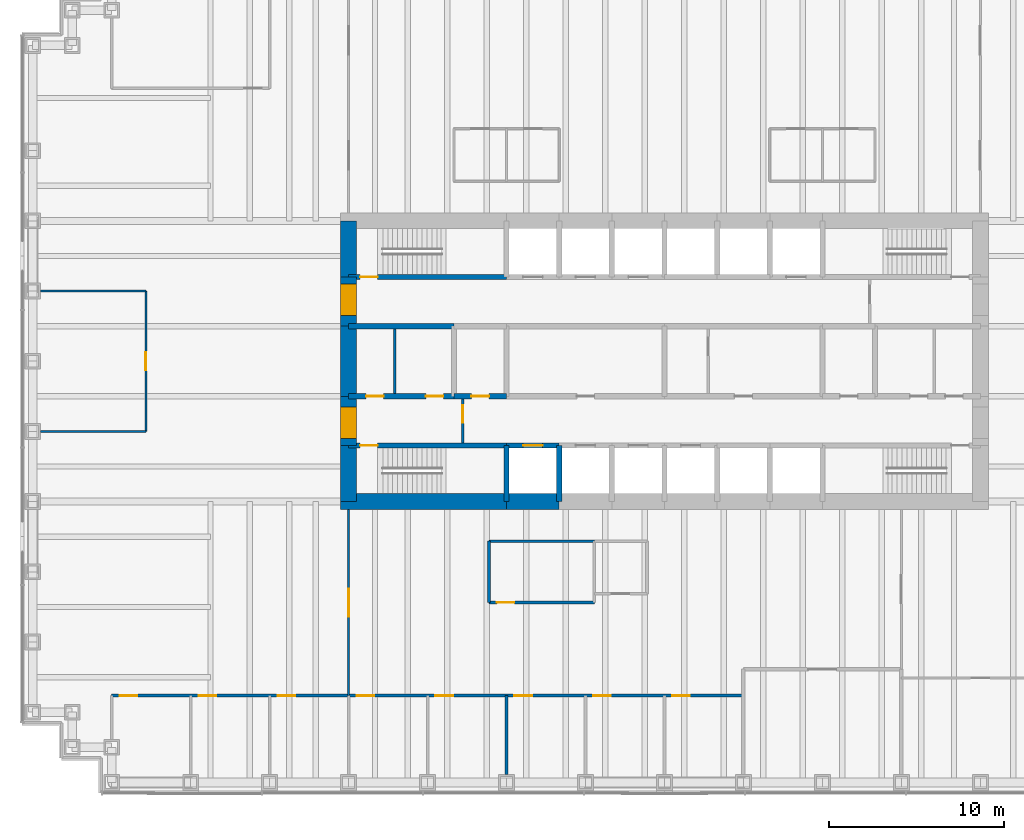
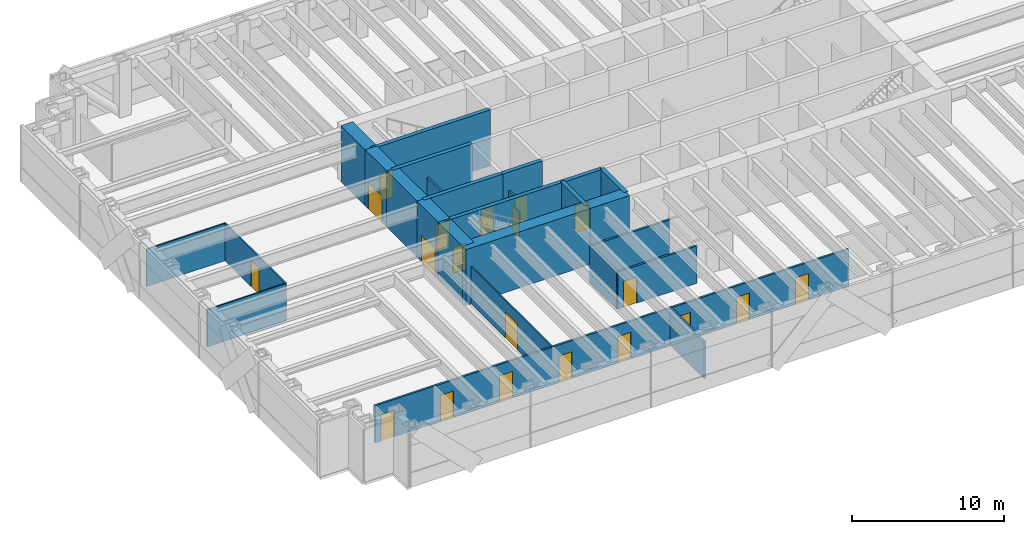
# One storey, part 9 of 13: 26 walls, 20 doors, 20 openings.
"""IFC4 building model written with IfcOpenShell, lengths in metres."""

import ifcopenshell
import ifcopenshell.guid

model = None  # the IFC model being written
_history = None  # IfcOwnerHistory: only IFC2X3 demands one
_inside = {}  # id of a spatial element -> (the spatial element, [elements in it])
_under = {}  # id of a project, library or spatial element -> (it, [spatial elements below it])
_declared = {}  # id of a project -> (the project, [libraries it declares])
_typed = {}  # id of a type object -> (the type object, [elements of that type])
_made_of = {}  # id of a material, layer set ... -> (it, [elements and type objects made of it])


def new_model(schema):
    """Start an empty IFC model of exactly this schema.

    Asked for "IFC4X3", IfcOpenShell would pick the latest addendum, in which some entities
    have other attributes; the version numbers below select the first issue.
    IFC2X3 requires an IfcOwnerHistory on every rooted entity: one is made here for all.
    """
    global model, _history
    if schema == "IFC4X3":
        model = ifcopenshell.file(schema_version=(4, 3, 0, 0))
    else:
        model = ifcopenshell.file(schema=schema)
    _inside.clear()
    _under.clear()
    _declared.clear()
    _typed.clear()
    _made_of.clear()
    _history = None
    if model.schema == "IFC2X3":
        org = make("IfcOrganization", Name="unknown")
        user = make(
            "IfcPersonAndOrganization",
            ThePerson=make("IfcPerson", FamilyName="unknown"),
            TheOrganization=org,
        )
        app = make(
            "IfcApplication",
            ApplicationDeveloper=org,
            Version="unknown",
            ApplicationFullName="unknown",
            ApplicationIdentifier="unknown",
        )
        _history = make(
            "IfcOwnerHistory",
            OwningUser=user,
            OwningApplication=app,
            ChangeAction="ADDED",
            CreationDate=0,
        )
    return model


def make(cls, **values):
    """One entity of the class cls with the attributes given. An attribute that is None is left unset."""
    return model.create_entity(
        cls, **{name: value for name, value in values.items() if value is not None}
    )


def rooted(cls, **values):
    """An entity with a GlobalId (a new one), such as an element, a storey or a relation."""
    return make(cls, GlobalId=ifcopenshell.guid.new(), OwnerHistory=_history, **values)


def si_unit(unit_type, name, prefix=None):
    """IfcSIUnit, for example si_unit("LENGTHUNIT", "METRE", prefix="MILLI")."""
    return make("IfcSIUnit", UnitType=unit_type, Prefix=prefix, Name=name)


def assignment(units):
    """IfcUnitAssignment: the units of a project."""
    return None if units is None else make("IfcUnitAssignment", Units=units)


def point(xyz):
    """IfcCartesianPoint."""
    return None if xyz is None else make("IfcCartesianPoint", Coordinates=xyz)


def direction(xyz):
    """IfcDirection."""
    return None if xyz is None else make("IfcDirection", DirectionRatios=xyz)


def frame(location, z_axis=None, x_axis=None):
    """IfcAxis2Placement3D, a coordinate frame: its origin and axes. An axis left out is left unset."""
    return make(
        "IfcAxis2Placement3D",
        Location=point(location),
        Axis=direction(z_axis),
        RefDirection=direction(x_axis),
    )


def frame_2d(location, x_axis=None):
    """IfcAxis2Placement2D, a coordinate frame in the plane: its origin and x axis."""
    return make(
        "IfcAxis2Placement2D", Location=point(location), RefDirection=direction(x_axis)
    )


def origin():
    """The frame at (0, 0, 0) with its axes left unset."""
    return frame((0.0, 0.0, 0.0))


def place(relative_to, where):
    """IfcLocalPlacement: puts the frame where relative to a parent placement (None: the world)."""
    return make(
        "IfcLocalPlacement", PlacementRelTo=relative_to, RelativePlacement=where
    )


def context(
    kind, dimensions, precision=None, world=None, true_north=None, identifier=None
):
    """IfcGeometricRepresentationContext, for example the 3D "Model" context."""
    return make(
        "IfcGeometricRepresentationContext",
        ContextIdentifier=identifier,
        ContextType=kind,
        CoordinateSpaceDimension=dimensions,
        Precision=precision,
        WorldCoordinateSystem=world,
        TrueNorth=true_north,
    )


def subcontext(parent, identifier, kind, view, scale=None):
    """IfcGeometricRepresentationSubContext, for example "Body" below "Model"."""
    return make(
        "IfcGeometricRepresentationSubContext",
        ContextIdentifier=identifier,
        ContextType=kind,
        ParentContext=parent,
        TargetScale=scale,
        TargetView=view,
    )


def project(units=None, contexts=None):
    """IfcProject with its units and contexts."""
    return rooted(
        "IfcProject",
        Name="project",
        RepresentationContexts=contexts,
        UnitsInContext=assignment(units),
    )


def spatial(cls, under=None, at=None, **own):
    """A site, building, storey or space (cls), placed at a placement, below another one or the project."""
    s = rooted(cls, ObjectPlacement=at, **own)
    if under is not None:
        _under.setdefault(under.id(), (under, []))[1].append(s)
    return s


def profile(cls, at=None, kind="AREA", **sizes):
    """A parametric profile (cls). Its sizes go by their IFC names, for example OverallWidth=200.0."""
    return make(cls, ProfileType=kind, Position=at, **sizes)


def rectangle(**sizes):
    """IfcRectangleProfileDef."""
    return profile("IfcRectangleProfileDef", **sizes)


def extrude(swept, where, along, depth):
    """IfcExtrudedAreaSolid: the profile swept, set in the frame where, extruded along a direction by depth."""
    return make(
        "IfcExtrudedAreaSolid",
        SweptArea=swept,
        Position=where,
        ExtrudedDirection=direction(along),
        Depth=depth,
    )


def shape(context_of_items, identifier, shape_type, items):
    """IfcShapeRepresentation: the items that make up one representation, for example the "Body"."""
    return make(
        "IfcShapeRepresentation",
        ContextOfItems=context_of_items,
        RepresentationIdentifier=identifier,
        RepresentationType=shape_type,
        Items=items,
    )


def material(Name=None, Category=None):
    """IfcMaterial."""
    return make("IfcMaterial", Name=Name, Category=Category)


def layer(
    of_material, thickness, ventilated=None, Name=None, Category=None, Priority=None
):
    """IfcMaterialLayer: one layer of a wall or slab, of a material (None: an air gap)."""
    return make(
        "IfcMaterialLayer",
        Material=of_material,
        LayerThickness=thickness,
        IsVentilated=ventilated,
        Name=Name,
        Category=Category,
        Priority=Priority,
    )


def layer_set(layers, Name=None):
    """IfcMaterialLayerSet."""
    return make("IfcMaterialLayerSet", MaterialLayers=layers, LayerSetName=Name)


def made_of(thing, what):
    """Note that an element or type object is made of a material, layer set ...; save() writes the relation."""
    if what is not None:
        _made_of.setdefault(what.id(), (what, []))[1].append(thing)
    return thing


def type_object(cls, material=None, **own):
    """A type object (cls), such as IfcWallType, which elements share."""
    return made_of(rooted(cls, **own), material)


def element(
    cls,
    number,
    at=None,
    inside=None,
    cuts=None,
    type_object=None,
    material=None,
    context=None,
    identifier="Body",
    shape_type=None,
    held_by="IfcProductDefinitionShape",
    body=None,
    shapes=None,
    **own,
):
    """One element of the class cls, such as IfcWall. Its Tag is "e" and its number.

    at: its placement. inside: the storey or other place that contains it. cuts: it is an
    opening in that element (IfcRelVoidsElement). A single representation is given by context,
    identifier, shape_type and body (its items); several are given by shapes. held_by: the class
    of the entity that holds the representations. save() writes the other relations.
    """
    e = rooted(cls, Tag="e%d" % number, ObjectPlacement=at, **own)
    if body is not None:
        shapes = [shape(context, identifier, shape_type, body)]
    if shapes is not None:
        e.Representation = make(held_by, Representations=shapes)
    if inside is not None:
        _inside.setdefault(inside.id(), (inside, []))[1].append(e)
    if cuts is not None:
        rooted(
            "IfcRelVoidsElement", RelatingBuildingElement=cuts, RelatedOpeningElement=e
        )
    if type_object is not None:
        _typed.setdefault(type_object.id(), (type_object, []))[1].append(e)
    return made_of(e, material)


def fill(opening, filler):
    """IfcRelFillsElement: the door or window that sits in an opening."""
    return rooted(
        "IfcRelFillsElement",
        RelatingOpeningElement=opening,
        RelatedBuildingElement=filler,
    )


def aggregate(whole, parts):
    """IfcRelAggregates: a whole, such as a stair, and the parts it consists of."""
    return rooted("IfcRelAggregates", RelatingObject=whole, RelatedObjects=parts)


def save(model, path):
    """Write the relations noted so far, then the file.

    IfcRelAggregates (storeys below a building ...), IfcRelContainedInSpatialStructure (elements
    in a storey), IfcRelDefinesByType, IfcRelAssociatesMaterial and IfcRelDeclares: one each for
    every whole, place, type object, material and project.
    """
    for whole, parts in _under.values():
        aggregate(whole, parts)
    for where, things in _inside.values():
        rooted(
            "IfcRelContainedInSpatialStructure",
            RelatedElements=things,
            RelatingStructure=where,
        )
    for kind, things in _typed.values():
        rooted("IfcRelDefinesByType", RelatedObjects=things, RelatingType=kind)
    for what, things in _made_of.values():
        rooted("IfcRelAssociatesMaterial", RelatedObjects=things, RelatingMaterial=what)
    for by, libraries in _declared.values():
        rooted("IfcRelDeclares", RelatingContext=by, RelatedDefinitions=libraries)
    model.write(path)


model = new_model("IFC4")

# Units and contexts
model_context = context("Model", 3, precision=1e-05, world=origin(), true_north=direction((0.0, 1.0)))
body_context = subcontext(model_context, "Body", "Model", "MODEL_VIEW")
ifc_project = project(units=[si_unit("LENGTHUNIT", "METRE"), si_unit("AREAUNIT", "SQUARE_METRE"), si_unit("VOLUMEUNIT", "CUBIC_METRE"), si_unit("PLANEANGLEUNIT", "RADIAN"), si_unit("MASSUNIT", "GRAM", prefix="KILO")], contexts=[model_context])

# Site, building, storey
site_placement = place(None, origin())
site = spatial("IfcSite", under=ifc_project, at=site_placement, CompositionType="ELEMENT")
building_placement = place(site_placement, origin())
building = spatial("IfcBuilding", under=site, at=building_placement, Name="Rheinbord Bourse Tower", CompositionType="ELEMENT")
storey_placement = place(building_placement, frame((0.0, 0.0, 90.5)))
storey = spatial("IfcBuildingStorey", under=building, at=storey_placement, Name="L19", CompositionType="ELEMENT", Elevation=90.5)

# Wall, opening, door
ifc_material_1 = material(Name="Concrete C50/60", Category="concrete")
ifc_layer_1 = layer(ifc_material_1, 0.300048828125)
ifc_layer_set_1 = layer_set([ifc_layer_1], Name="CORE INNER WALL 300")
wall_type_1 = type_object("IfcWallType", Name="CORE INNER WALL 300", PredefinedType="SOLIDWALL", material=ifc_layer_set_1)
wall_1_placement = place(storey_placement, frame((18.0, 19.199951171875, 0.0), z_axis=(0.0, 0.0, 1.0), x_axis=(1.0, 0.0, 0.0)))
wall_1 = element("IfcWall", 1, at=wall_1_placement, inside=storey, type_object=wall_type_1, Name="Core wall A1 L19", PredefinedType="SOLIDWALL", context=body_context, shape_type="SweptSolid", body=[
    extrude(rectangle(XDim=9.0, YDim=0.300048828125, at=frame_2d((4.5, 0.0))), origin(), (0.0, 0.0, 1.0), 4.5),
])
opening_1_placement = place(wall_1_placement, frame((0.64990234375, 0.0, 0.0)))
opening_1 = element("IfcOpeningElement", 2, at=opening_1_placement, cuts=wall_1, Name="Opening 1910", PredefinedType="OPENING", context=body_context, shape_type="SweptSolid", body=[
    extrude(rectangle(XDim=1.0, YDim=2.10009765625, at=frame_2d((0.5, 1.050048828125))), frame((0.0, 0.159912109375, 0.0), z_axis=(0.0, -1.0, 0.0), x_axis=(1.0, 0.0, 0.0)), (0.0, 0.0, 1.0), 0.320068359375),
])
ifc_material_2 = material(Name="Steel door", Category="steel")
door_type_1 = type_object("IfcDoorType", Name="DOOR 1000 EI30", OperationType="SINGLE_SWING_LEFT", PredefinedType="DOOR", material=ifc_material_2)
door_1_placement = place(opening_1_placement, origin())
door_1 = element("IfcDoor", 3, at=door_1_placement, inside=storey, type_object=door_type_1, Name="Stair door ST1 L19", OperationType="SINGLE_SWING_LEFT", OverallHeight=2.10009765625, OverallWidth=1.0, PredefinedType="DOOR", context=body_context, shape_type="SweptSolid", body=[
    extrude(rectangle(XDim=1.0, YDim=2.10009765625, at=frame_2d((0.5, 1.050048828125))), frame((0.0, 0.02490234375, 0.0), z_axis=(0.0, -1.0, 0.0), x_axis=(1.0, 0.0, 0.0)), (0.0, 0.0, 1.0), 0.050048828125),
])
fill(opening_1, door_1)

wall_2_placement = place(storey_placement, frame((27.0, 19.199951171875, 0.0), z_axis=(0.0, 0.0, 1.0), x_axis=(1.0, 0.0, 0.0)))
wall_2 = element("IfcWall", 4, at=wall_2_placement, inside=storey, type_object=wall_type_1, Name="Core wall A2 L19", PredefinedType="SOLIDWALL", context=body_context, shape_type="SweptSolid", body=[
    extrude(rectangle(XDim=3.0, YDim=0.300048828125, at=frame_2d((1.5, 0.0))), origin(), (0.0, 0.0, 1.0), 4.5),
])
opening_2_placement = place(wall_2_placement, frame((0.949951171875, 0.0, 0.0)))
opening_2 = element("IfcOpeningElement", 5, at=opening_2_placement, cuts=wall_2, Name="Opening FL1", PredefinedType="OPENING", context=body_context, shape_type="SweptSolid", body=[
    extrude(rectangle(XDim=1.10009765625, YDim=2.199951171875, at=frame_2d((0.550048828125, 1.10009765625))), frame((0.0, 0.159912109375, 0.0), z_axis=(0.0, -1.0, 0.0), x_axis=(1.0, 0.0, 0.0)), (0.0, 0.0, 1.0), 0.320068359375),
])
ifc_material_3 = material(Name="Steel landing door", Category="steel")
door_type_2 = type_object("IfcDoorType", Name="LIFT LANDING DOOR 1100", OperationType="DOUBLE_DOOR_SLIDING", PredefinedType="USERDEFINED", material=ifc_material_3)
door_2_placement = place(opening_2_placement, origin())
door_2 = element("IfcDoor", 6, at=door_2_placement, inside=storey, type_object=door_type_2, Name="Lift landing door FL1 L19", ObjectType="LIFT LANDING DOOR", OperationType="DOUBLE_DOOR_SLIDING", OverallHeight=2.199951171875, OverallWidth=1.10009765625, PredefinedType="USERDEFINED", context=body_context, shape_type="SweptSolid", body=[
    extrude(rectangle(XDim=1.10009765625, YDim=2.199951171875, at=frame_2d((0.550048828125, 1.10009765625))), frame((0.0, 0.02490234375, 0.0), z_axis=(0.0, -1.0, 0.0), x_axis=(1.0, 0.0, 0.0)), (0.0, 0.0, 1.0), 0.050048828125),
])
fill(opening_2, door_2)

wall_3_placement = place(storey_placement, frame((18.0, 28.800048828125, 0.0), z_axis=(0.0, 0.0, 1.0), x_axis=(1.0, 0.0, 0.0)))
wall_3 = element("IfcWall", 7, at=wall_3_placement, inside=storey, type_object=wall_type_1, Name="Core wall B1 L19", PredefinedType="SOLIDWALL", context=body_context, shape_type="SweptSolid", body=[
    extrude(rectangle(XDim=9.0, YDim=0.300048828125, at=frame_2d((4.5, 0.0))), origin(), (0.0, 0.0, 1.0), 4.5),
])
opening_3_placement = place(wall_3_placement, frame((0.64990234375, 0.0, 0.0)))
opening_3 = element("IfcOpeningElement", 8, at=opening_3_placement, cuts=wall_3, Name="Opening 1920", PredefinedType="OPENING", context=body_context, shape_type="SweptSolid", body=[
    extrude(rectangle(XDim=1.0, YDim=2.10009765625, at=frame_2d((0.5, 1.050048828125))), frame((0.0, 0.159912109375, 0.0), z_axis=(0.0, -1.0, 0.0), x_axis=(1.0, 0.0, 0.0)), (0.0, 0.0, 1.0), 0.320068359375),
])
door_3_placement = place(opening_3_placement, origin())
door_3 = element("IfcDoor", 9, at=door_3_placement, inside=storey, type_object=door_type_1, Name="Stair door ST2 L19", OperationType="SINGLE_SWING_LEFT", OverallHeight=2.10009765625, OverallWidth=1.0, PredefinedType="DOOR", context=body_context, shape_type="SweptSolid", body=[
    extrude(rectangle(XDim=1.0, YDim=2.10009765625, at=frame_2d((0.5, 1.050048828125))), frame((0.0, 0.02490234375, 0.0), z_axis=(0.0, -1.0, 0.0), x_axis=(1.0, 0.0, 0.0)), (0.0, 0.0, 1.0), 0.050048828125),
])
fill(opening_3, door_3)

# Wall, openings, doors
wall_4_placement = place(storey_placement, frame((18.0, 22.0, 0.0), z_axis=(0.0, 0.0, 1.0), x_axis=(1.0, 0.0, 0.0)))
wall_4 = element("IfcWall", 10, at=wall_4_placement, inside=storey, type_object=wall_type_1, Name="Core wall C1 L19", PredefinedType="SOLIDWALL", context=body_context, shape_type="SweptSolid", body=[
    extrude(rectangle(XDim=6.0, YDim=0.300048828125, at=frame_2d((3.0, 0.0))), origin(), (0.0, 0.0, 1.0), 4.5),
])
opening_4_placement = place(wall_4_placement, frame((4.39990234375, 0.0, 0.0)))
opening_4 = element("IfcOpeningElement", 11, at=opening_4_placement, cuts=wall_4, Name="Opening 19R1", PredefinedType="OPENING", context=body_context, shape_type="SweptSolid", body=[
    extrude(rectangle(XDim=1.0, YDim=2.10009765625, at=frame_2d((0.5, 1.050048828125))), frame((0.0, 0.159912109375, 0.0), z_axis=(0.0, -1.0, 0.0), x_axis=(1.0, 0.0, 0.0)), (0.0, 0.0, 1.0), 0.320068359375),
])
opening_5_placement = place(wall_4_placement, frame((1.0, 0.0, 0.0)))
opening_5 = element("IfcOpeningElement", 12, at=opening_5_placement, cuts=wall_4, Name="Opening 19R9", PredefinedType="OPENING", context=body_context, shape_type="SweptSolid", body=[
    extrude(rectangle(XDim=1.0, YDim=2.10009765625, at=frame_2d((0.5, 1.050048828125))), frame((0.0, 0.159912109375, 0.0), z_axis=(0.0, -1.0, 0.0), x_axis=(1.0, 0.0, 0.0)), (0.0, 0.0, 1.0), 0.320068359375),
])
door_4_placement = place(opening_5_placement, origin())
door_4 = element("IfcDoor", 13, at=door_4_placement, inside=storey, type_object=door_type_1, Name="Baby change door L19", OperationType="SINGLE_SWING_LEFT", OverallHeight=2.10009765625, OverallWidth=1.0, PredefinedType="DOOR", context=body_context, shape_type="SweptSolid", body=[
    extrude(rectangle(XDim=1.0, YDim=2.10009765625, at=frame_2d((0.5, 1.050048828125))), frame((0.0, 0.02490234375, 0.0), z_axis=(0.0, -1.0, 0.0), x_axis=(1.0, 0.0, 0.0)), (0.0, 0.0, 1.0), 0.050048828125),
])
fill(opening_5, door_4)
ifc_material_4 = material(Name="Timber door", Category="wood")
door_type_3 = type_object("IfcDoorType", Name="DOOR 1000 WC", OperationType="SINGLE_SWING_LEFT", PredefinedType="DOOR", material=ifc_material_4)
door_5_placement = place(opening_4_placement, origin())
door_5 = element("IfcDoor", 14, at=door_5_placement, inside=storey, type_object=door_type_3, Name="WC men door L19", OperationType="SINGLE_SWING_RIGHT", OverallHeight=2.10009765625, OverallWidth=1.0, PredefinedType="DOOR", context=body_context, shape_type="SweptSolid", body=[
    extrude(rectangle(XDim=1.0, YDim=2.10009765625, at=frame_2d((0.5, 1.050048828125))), frame((0.0, 0.02490234375, 0.0), z_axis=(0.0, -1.0, 0.0), x_axis=(1.0, 0.0, 0.0)), (0.0, 0.0, 1.0), 0.050048828125),
])
fill(opening_4, door_5)

# Wall, opening, door
wall_5_placement = place(storey_placement, frame((24.0, 22.0, 0.0), z_axis=(0.0, 0.0, 1.0), x_axis=(1.0, 0.0, 0.0)))
wall_5 = element("IfcWall", 15, at=wall_5_placement, inside=storey, type_object=wall_type_1, Name="Core wall C2 L19", PredefinedType="SOLIDWALL", context=body_context, shape_type="SweptSolid", body=[
    extrude(rectangle(XDim=3.0, YDim=0.300048828125, at=frame_2d((1.5, 0.0))), origin(), (0.0, 0.0, 1.0), 4.5),
])
opening_6_placement = place(wall_5_placement, frame((1.0, 0.0, 0.0)))
opening_6 = element("IfcOpeningElement", 16, at=opening_6_placement, cuts=wall_5, Name="Opening 19R2", PredefinedType="OPENING", context=body_context, shape_type="SweptSolid", body=[
    extrude(rectangle(XDim=1.0, YDim=2.10009765625, at=frame_2d((0.5, 1.050048828125))), frame((0.0, 0.159912109375, 0.0), z_axis=(0.0, -1.0, 0.0), x_axis=(1.0, 0.0, 0.0)), (0.0, 0.0, 1.0), 0.320068359375),
])
door_6_placement = place(opening_6_placement, origin())
door_6 = element("IfcDoor", 17, at=door_6_placement, inside=storey, type_object=door_type_3, Name="Accessible WC door L19", OperationType="SINGLE_SWING_LEFT", OverallHeight=2.10009765625, OverallWidth=1.0, PredefinedType="DOOR", context=body_context, shape_type="SweptSolid", body=[
    extrude(rectangle(XDim=1.0, YDim=2.10009765625, at=frame_2d((0.5, 1.050048828125))), frame((0.0, 0.02490234375, 0.0), z_axis=(0.0, -1.0, 0.0), x_axis=(1.0, 0.0, 0.0)), (0.0, 0.0, 1.0), 0.050048828125),
])
fill(opening_6, door_6)

# Walls
wall_6_placement = place(storey_placement, frame((18.0, 26.0, 0.0), z_axis=(0.0, 0.0, 1.0), x_axis=(1.0, 0.0, 0.0)))
element("IfcWall", 18, at=wall_6_placement, inside=storey, type_object=wall_type_1, Name="Core wall D1 L19", PredefinedType="SOLIDWALL", context=body_context, shape_type="SweptSolid", body=[
    extrude(rectangle(XDim=6.0, YDim=0.300048828125, at=frame_2d((3.0, 0.0))), origin(), (0.0, 0.0, 1.0), 4.5),
])
for number, where, z_axis, x_axis, name in (
    (19, (27.0, 16.0, 0.0), (0.0, 0.0, 1.0), (0.0, 1.0, 0.0), "Core wall SX27 L19"),
    (20, (30.0, 16.0, 0.0), (0.0, 0.0, 1.0), (0.0, 1.0, 0.0), "Core wall SX30 L19"),
):
    element("IfcWall", number, at=place(storey_placement, frame(where, z_axis=z_axis, x_axis=x_axis)), inside=storey, type_object=wall_type_1, Name=name, PredefinedType="SOLIDWALL", context=body_context, shape_type="SweptSolid", body=[
        extrude(rectangle(XDim=3.199951171875, YDim=0.300048828125, at=frame_2d((1.60009765625, 0.0))), origin(), (0.0, 0.0, 1.0), 4.5),
    ])
ifc_material_5 = material(Name="Gypsum board fire partition", Category="gypsum board")
ifc_layer_2 = layer(ifc_material_5, 0.14990234375)
ifc_layer_set_2 = layer_set([ifc_layer_2], Name="CORE PARTITION 150 EI30")
wall_type_2 = type_object("IfcWallType", Name="CORE PARTITION 150 EI30", PredefinedType="PARTITIONING", material=ifc_layer_set_2)
wall_7_placement = place(storey_placement, frame((20.625, 22.14990234375, 0.0), z_axis=(0.0, 0.0, 1.0), x_axis=(0.0, 1.0, 0.0)))
element("IfcWall", 21, at=wall_7_placement, inside=storey, type_object=wall_type_2, Name="Core partition L19-2", PredefinedType="PARTITIONING", context=body_context, shape_type="SweptSolid", body=[
    extrude(rectangle(XDim=3.7001953125, YDim=0.14990234375, at=frame_2d((1.85009765625, 0.0))), origin(), (0.0, 0.0, 1.0), 3.0),
])

# Wall, opening, door
wall_8_placement = place(storey_placement, frame((24.5, 19.35009765625, 0.0), z_axis=(0.0, 0.0, 1.0), x_axis=(0.0, 1.0, 0.0)))
wall_8 = element("IfcWall", 22, at=wall_8_placement, inside=storey, type_object=wall_type_2, Name="Core partition L19-4", PredefinedType="PARTITIONING", context=body_context, shape_type="SweptSolid", body=[
    extrude(rectangle(XDim=2.5, YDim=0.14990234375, at=frame_2d((1.25, 0.0))), origin(), (0.0, 0.0, 1.0), 3.0),
])
opening_7_placement = place(wall_8_placement, frame((1.14990234375, 0.0, 0.0)))
opening_7 = element("IfcOpeningElement", 23, at=opening_7_placement, cuts=wall_8, Name="Opening 19L5", PredefinedType="OPENING", context=body_context, shape_type="SweptSolid", body=[
    extrude(rectangle(XDim=1.0, YDim=2.10009765625, at=frame_2d((0.5, 1.050048828125))), frame((0.0, 0.0849609375, 0.0), z_axis=(0.0, -1.0, 0.0), x_axis=(1.0, 0.0, 0.0)), (0.0, 0.0, 1.0), 0.169921875),
])
door_7_placement = place(opening_7_placement, origin())
door_7 = element("IfcDoor", 24, at=door_7_placement, inside=storey, type_object=door_type_1, Name="Stair lobby door L19", OperationType="SINGLE_SWING_RIGHT", OverallHeight=2.10009765625, OverallWidth=1.0, PredefinedType="DOOR", context=body_context, shape_type="SweptSolid", body=[
    extrude(rectangle(XDim=1.0, YDim=2.10009765625, at=frame_2d((0.5, 1.050048828125))), frame((0.0, 0.02490234375, 0.0), z_axis=(0.0, -1.0, 0.0), x_axis=(1.0, 0.0, 0.0)), (0.0, 0.0, 1.0), 0.050048828125),
])
fill(opening_7, door_7)

# Walls
ifc_material_6 = material(Name="Concrete C50/60", Category="concrete")
ifc_layer_3 = layer(ifc_material_6, 0.89990234375)
ifc_layer_set_3 = layer_set([ifc_layer_3], Name="CORE WALL 900")
wall_type_3 = type_object("IfcWallType", Name="CORE WALL 900", PredefinedType="SHEAR", material=ifc_layer_set_3)
wall_9_placement = place(storey_placement, frame((17.550048828125, 16.0, 0.0), z_axis=(0.0, 0.0, 1.0), x_axis=(1.0, 0.0, 0.0)))
element("IfcWall", 25, at=wall_9_placement, inside=storey, type_object=wall_type_3, Name="Core wall S1 L19", PredefinedType="SHEAR", context=body_context, shape_type="SweptSolid", body=[
    extrude(rectangle(XDim=9.449951171875, YDim=0.89990234375, at=frame_2d((4.72509765625, 0.0))), origin(), (0.0, 0.0, 1.0), 4.5),
])
wall_10_placement = place(storey_placement, frame((27.0, 16.0, 0.0), z_axis=(0.0, 0.0, 1.0), x_axis=(1.0, 0.0, 0.0)))
element("IfcWall", 26, at=wall_10_placement, inside=storey, type_object=wall_type_3, Name="Core wall S2 L19", PredefinedType="SHEAR", context=body_context, shape_type="SweptSolid", body=[
    extrude(rectangle(XDim=3.0, YDim=0.89990234375, at=frame_2d((1.5, 0.0))), origin(), (0.0, 0.0, 1.0), 4.5),
])
wall_11_placement = place(storey_placement, frame((18.0, 32.0, 0.0), z_axis=(0.0, 0.0, 1.0), x_axis=(0.0, -1.0, 0.0)))
element("IfcWall", 27, at=wall_11_placement, inside=storey, type_object=wall_type_3, Name="Core wall W1 L19", PredefinedType="SHEAR", context=body_context, shape_type="SweptSolid", body=[
    extrude(rectangle(XDim=3.199951171875, YDim=0.89990234375, at=frame_2d((1.60009765625, 0.0))), origin(), (0.0, 0.0, 1.0), 4.5),
])

# Wall, opening, door
wall_12_placement = place(storey_placement, frame((18.0, 28.800048828125, 0.0), z_axis=(0.0, 0.0, 1.0), x_axis=(0.0, -1.0, 0.0)))
wall_12 = element("IfcWall", 28, at=wall_12_placement, inside=storey, type_object=wall_type_3, Name="Core wall W2 L19", PredefinedType="SHEAR", context=body_context, shape_type="SweptSolid", body=[
    extrude(rectangle(XDim=2.800048828125, YDim=0.89990234375, at=frame_2d((1.39990234375, 0.0))), origin(), (0.0, 0.0, 1.0), 4.5),
])
opening_8_placement = place(wall_12_placement, frame((0.39990234375, 0.0, 0.0)))
opening_8 = element("IfcOpeningElement", 29, at=opening_8_placement, cuts=wall_12, Name="Opening 19L2", PredefinedType="OPENING", context=body_context, shape_type="SweptSolid", body=[
    extrude(rectangle(XDim=1.800048828125, YDim=2.10009765625, at=frame_2d((0.89990234375, 1.050048828125))), frame((0.0, 0.4599609375, 0.0), z_axis=(0.0, -1.0, 0.0), x_axis=(1.0, 0.0, 0.0)), (0.0, 0.0, 1.0), 0.919921875),
])
ifc_material_7 = material(Name="Steel door", Category="steel")
door_type_4 = type_object("IfcDoorType", Name="DOOR 1800 EI30 DOUBLE", OperationType="DOUBLE_DOOR_DOUBLE_SWING", PredefinedType="DOOR", material=ifc_material_7)
door_8_placement = place(opening_8_placement, origin())
door_8 = element("IfcDoor", 30, at=door_8_placement, inside=storey, type_object=door_type_4, Name="Lobby door 2 L19", OperationType="SINGLE_SWING_LEFT", OverallHeight=2.10009765625, OverallWidth=1.800048828125, PredefinedType="DOOR", context=body_context, shape_type="SweptSolid", body=[
    extrude(rectangle(XDim=1.800048828125, YDim=2.10009765625, at=frame_2d((0.89990234375, 1.050048828125))), frame((0.0, 0.44970703125, 0.0), z_axis=(0.0, -1.0, 0.0), x_axis=(1.0, 0.0, 0.0)), (0.0, 0.0, 1.0), 0.8994140625),
])
fill(opening_8, door_8)

# Wall
wall_13_placement = place(storey_placement, frame((18.0, 26.0, 0.0), z_axis=(0.0, 0.0, 1.0), x_axis=(0.0, -1.0, 0.0)))
element("IfcWall", 31, at=wall_13_placement, inside=storey, type_object=wall_type_3, Name="Core wall W3 L19", PredefinedType="SHEAR", context=body_context, shape_type="SweptSolid", body=[
    extrude(rectangle(XDim=4.0, YDim=0.89990234375, at=frame_2d((2.0, 0.0))), origin(), (0.0, 0.0, 1.0), 4.5),
])

# Wall, opening, door
wall_14_placement = place(storey_placement, frame((18.0, 22.0, 0.0), z_axis=(0.0, 0.0, 1.0), x_axis=(0.0, -1.0, 0.0)))
wall_14 = element("IfcWall", 32, at=wall_14_placement, inside=storey, type_object=wall_type_3, Name="Core wall W4 L19", PredefinedType="SHEAR", context=body_context, shape_type="SweptSolid", body=[
    extrude(rectangle(XDim=2.800048828125, YDim=0.89990234375, at=frame_2d((1.39990234375, 0.0))), origin(), (0.0, 0.0, 1.0), 4.5),
])
opening_9_placement = place(wall_14_placement, frame((0.60009765625, 0.0, 0.0)))
opening_9 = element("IfcOpeningElement", 33, at=opening_9_placement, cuts=wall_14, Name="Opening 19L1", PredefinedType="OPENING", context=body_context, shape_type="SweptSolid", body=[
    extrude(rectangle(XDim=1.800048828125, YDim=2.10009765625, at=frame_2d((0.89990234375, 1.050048828125))), frame((0.0, 0.4599609375, 0.0), z_axis=(0.0, -1.0, 0.0), x_axis=(1.0, 0.0, 0.0)), (0.0, 0.0, 1.0), 0.919921875),
])
door_9_placement = place(opening_9_placement, origin())
door_9 = element("IfcDoor", 34, at=door_9_placement, inside=storey, type_object=door_type_4, Name="Lobby door 1 L19", OperationType="SINGLE_SWING_LEFT", OverallHeight=2.10009765625, OverallWidth=1.800048828125, PredefinedType="DOOR", context=body_context, shape_type="SweptSolid", body=[
    extrude(rectangle(XDim=1.800048828125, YDim=2.10009765625, at=frame_2d((0.89990234375, 1.050048828125))), frame((0.0, 0.44970703125, 0.0), z_axis=(0.0, -1.0, 0.0), x_axis=(1.0, 0.0, 0.0)), (0.0, 0.0, 1.0), 0.8994140625),
])
fill(opening_9, door_9)

# Wall
wall_15_placement = place(storey_placement, frame((18.0, 19.199951171875, 0.0), z_axis=(0.0, 0.0, 1.0), x_axis=(0.0, -1.0, 0.0)))
element("IfcWall", 35, at=wall_15_placement, inside=storey, type_object=wall_type_3, Name="Core wall W5 L19", PredefinedType="SHEAR", context=body_context, shape_type="SweptSolid", body=[
    extrude(rectangle(XDim=3.199951171875, YDim=0.89990234375, at=frame_2d((1.60009765625, 0.0))), origin(), (0.0, 0.0, 1.0), 4.5),
])

# Wall, opening, door
ifc_material_8 = material(Name="Gypsum board fire partition", Category="gypsum board")
ifc_layer_4 = layer(ifc_material_8, 0.14990234375)
ifc_layer_set_4 = layer_set([ifc_layer_4], Name="FIRE PARTITION 150 EI60")
wall_type_4 = type_object("IfcWallType", Name="FIRE PARTITION 150 EI60", PredefinedType="PARTITIONING", material=ifc_layer_set_4)
wall_16_placement = place(storey_placement, frame((26.0, 10.25, 0.0), z_axis=(0.0, 0.0, 1.0), x_axis=(1.0, 0.0, 0.0)))
wall_16 = element("IfcWall", 36, at=wall_16_placement, inside=storey, type_object=wall_type_4, Name="Partition L19-05", PredefinedType="PARTITIONING", context=body_context, shape_type="SweptSolid", body=[
    extrude(rectangle(XDim=6.0, YDim=0.14990234375, at=frame_2d((3.0, 0.0))), origin(), (0.0, 0.0, 1.0), 3.0),
])
opening_10_placement = place(wall_16_placement, frame((0.449951171875, 0.0, 0.0)))
opening_10 = element("IfcOpeningElement", 37, at=opening_10_placement, cuts=wall_16, Name="Opening 19D13", PredefinedType="OPENING", context=body_context, shape_type="SweptSolid", body=[
    extrude(rectangle(XDim=1.0, YDim=2.10009765625, at=frame_2d((0.5, 1.050048828125))), frame((0.0, 0.0849609375, 0.0), z_axis=(0.0, -1.0, 0.0), x_axis=(1.0, 0.0, 0.0)), (0.0, 0.0, 1.0), 0.169921875),
])
ifc_material_9 = material(Name="Timber fire door", Category="wood")
door_type_5 = type_object("IfcDoorType", Name="FIRE DOOR 1000 EI60", OperationType="SINGLE_SWING_LEFT", PredefinedType="DOOR", material=ifc_material_9)
door_10_placement = place(opening_10_placement, origin())
door_10 = element("IfcDoor", 38, at=door_10_placement, inside=storey, type_object=door_type_5, Name="Comms room door L19", OperationType="SINGLE_SWING_LEFT", OverallHeight=2.10009765625, OverallWidth=1.0, PredefinedType="DOOR", context=body_context, shape_type="SweptSolid", body=[
    extrude(rectangle(XDim=1.0, YDim=2.10009765625, at=frame_2d((0.5, 1.050048828125))), frame((0.0, 0.02490234375, 0.0), z_axis=(0.0, -1.0, 0.0), x_axis=(1.0, 0.0, 0.0)), (0.0, 0.0, 1.0), 0.050048828125),
])
fill(opening_10, door_10)

# Walls
wall_17_placement = place(storey_placement, frame((26.0, 13.75, 0.0), z_axis=(0.0, 0.0, 1.0), x_axis=(1.0, 0.0, 0.0)))
element("IfcWall", 39, at=wall_17_placement, inside=storey, type_object=wall_type_4, Name="Partition L19-08", PredefinedType="PARTITIONING", context=body_context, shape_type="SweptSolid", body=[
    extrude(rectangle(XDim=6.0, YDim=0.14990234375, at=frame_2d((3.0, 0.0))), origin(), (0.0, 0.0, 1.0), 3.0),
])
wall_18_placement = place(storey_placement, frame((26.0, 10.25, 0.0), z_axis=(0.0, 0.0, 1.0), x_axis=(0.0, 1.0, 0.0)))
element("IfcWall", 40, at=wall_18_placement, inside=storey, type_object=wall_type_4, Name="Partition L19-29", PredefinedType="PARTITIONING", context=body_context, shape_type="SweptSolid", body=[
    extrude(rectangle(XDim=3.5, YDim=0.14990234375, at=frame_2d((1.75, 0.0))), origin(), (0.0, 0.0, 1.0), 3.0),
])
ifc_material_10 = material(Name="Toughened laminated glass partition", Category="glass")
ifc_layer_5 = layer(ifc_material_10, 0.10009765625)
ifc_layer_set_5 = layer_set([ifc_layer_5], Name="GLAZED PARTITION 100")
wall_type_5 = type_object("IfcWallType", Name="GLAZED PARTITION 100", PredefinedType="PARTITIONING", material=ifc_layer_set_5)
for number, where, z_axis, x_axis, name in (
    (41, (0.449951171875, 20.0, 0.0), (0.0, 0.0, 1.0), (1.0, 0.0, 0.0), "Partition L19-10"),
    (42, (0.449951171875, 28.0, 0.0), (0.0, 0.0, 1.0), (1.0, 0.0, 0.0), "Partition L19-12"),
):
    element("IfcWall", number, at=place(storey_placement, frame(where, z_axis=z_axis, x_axis=x_axis)), inside=storey, type_object=wall_type_5, Name=name, PredefinedType="PARTITIONING", context=body_context, shape_type="SweptSolid", body=[
        extrude(rectangle(XDim=6.0, YDim=0.10009765625, at=frame_2d((3.0, 0.0))), origin(), (0.0, 0.0, 1.0), 3.0),
    ])

# Wall, opening, door
wall_19_placement = place(storey_placement, frame((6.449951171875, 20.0, 0.0), z_axis=(0.0, 0.0, 1.0), x_axis=(0.0, 1.0, 0.0)))
wall_19 = element("IfcWall", 43, at=wall_19_placement, inside=storey, type_object=wall_type_5, Name="Partition L19-20", PredefinedType="PARTITIONING", context=body_context, shape_type="SweptSolid", body=[
    extrude(rectangle(XDim=8.0, YDim=0.10009765625, at=frame_2d((4.0, 0.0))), origin(), (0.0, 0.0, 1.0), 3.0),
])
opening_11_placement = place(wall_19_placement, frame((3.5, 0.0, 0.0)))
opening_11 = element("IfcOpeningElement", 44, at=opening_11_placement, cuts=wall_19, Name="Opening 19D16", PredefinedType="OPENING", context=body_context, shape_type="SweptSolid", body=[
    extrude(rectangle(XDim=1.0, YDim=2.10009765625, at=frame_2d((0.5, 1.050048828125))), frame((0.0, 0.06005859375, 0.0), z_axis=(0.0, -1.0, 0.0), x_axis=(1.0, 0.0, 0.0)), (0.0, 0.0, 1.0), 0.1201171875),
])
ifc_material_11 = material(Name="Timber door", Category="wood")
door_type_6 = type_object("IfcDoorType", Name="ROOM DOOR 1000", OperationType="SINGLE_SWING_LEFT", PredefinedType="DOOR", material=ifc_material_11)
door_11_placement = place(opening_11_placement, origin())
door_11 = element("IfcDoor", 45, at=door_11_placement, inside=storey, type_object=door_type_6, Name="Meeting room door L19", OperationType="SINGLE_SWING_LEFT", OverallHeight=2.10009765625, OverallWidth=1.0, PredefinedType="DOOR", context=body_context, shape_type="SweptSolid", body=[
    extrude(rectangle(XDim=1.0, YDim=2.10009765625, at=frame_2d((0.5, 1.050048828125))), frame((0.0, 0.02490234375, 0.0), z_axis=(0.0, -1.0, 0.0), x_axis=(1.0, 0.0, 0.0)), (0.0, 0.0, 1.0), 0.050048828125),
])
fill(opening_11, door_11)

wall_20_placement = place(storey_placement, frame((18.0, 4.949951171875, 0.0), z_axis=(0.0, 0.0, 1.0), x_axis=(0.0, 1.0, 0.0)))
wall_20 = element("IfcWall", 46, at=wall_20_placement, inside=storey, type_object=wall_type_5, Name="Partition L19-25", PredefinedType="PARTITIONING", context=body_context, shape_type="SweptSolid", body=[
    extrude(rectangle(XDim=10.60009765625, YDim=0.10009765625, at=frame_2d((5.300048828125, 0.0))), origin(), (0.0, 0.0, 1.0), 3.0),
])
opening_12_placement = place(wall_20_placement, frame((4.5, 0.0, 0.0)))
opening_12 = element("IfcOpeningElement", 47, at=opening_12_placement, cuts=wall_20, Name="Opening 19D22", PredefinedType="OPENING", context=body_context, shape_type="SweptSolid", body=[
    extrude(rectangle(XDim=1.60009765625, YDim=2.10009765625, at=frame_2d((0.800048828125, 1.050048828125))), frame((0.0, 0.06005859375, 0.0), z_axis=(0.0, -1.0, 0.0), x_axis=(1.0, 0.0, 0.0)), (0.0, 0.0, 1.0), 0.1201171875),
])
ifc_material_12 = material(Name="Timber door", Category="wood")
door_type_7 = type_object("IfcDoorType", Name="DOUBLE ROOM DOOR 1600", OperationType="DOUBLE_DOOR_DOUBLE_SWING", PredefinedType="DOOR", material=ifc_material_12)
door_12_placement = place(opening_12_placement, origin())
door_12 = element("IfcDoor", 48, at=door_12_placement, inside=storey, type_object=door_type_7, Name="Open area door L19", OperationType="SINGLE_SWING_LEFT", OverallHeight=2.10009765625, OverallWidth=1.60009765625, PredefinedType="DOOR", context=body_context, shape_type="SweptSolid", body=[
    extrude(rectangle(XDim=1.60009765625, YDim=2.10009765625, at=frame_2d((0.800048828125, 1.050048828125))), frame((0.0, 0.02490234375, 0.0), z_axis=(0.0, -1.0, 0.0), x_axis=(1.0, 0.0, 0.0)), (0.0, 0.0, 1.0), 0.050048828125),
])
fill(opening_12, door_12)

# Wall, openings, doors
ifc_material_13 = material(Name="Gypsum board partition", Category="gypsum board")
ifc_layer_6 = layer(ifc_material_13, 0.14990234375)
ifc_layer_set_6 = layer_set([ifc_layer_6], Name="PARTITION 150")
wall_type_6 = type_object("IfcWallType", Name="PARTITION 150", PredefinedType="PARTITIONING", material=ifc_layer_set_6)
wall_21_placement = place(storey_placement, frame((4.5, 4.949951171875, 0.0), z_axis=(0.0, 0.0, 1.0), x_axis=(1.0, 0.0, 0.0)))
wall_21 = element("IfcWall", 49, at=wall_21_placement, inside=storey, type_object=wall_type_6, Name="Partition L19-01", PredefinedType="PARTITIONING", context=body_context, shape_type="SweptSolid", body=[
    extrude(rectangle(XDim=36.0, YDim=0.14990234375, at=frame_2d((18.0, 0.0))), origin(), (0.0, 0.0, 1.0), 3.0),
])
opening_13_placement = place(wall_21_placement, frame((0.449951171875, 0.0, 0.0)))
opening_13 = element("IfcOpeningElement", 50, at=opening_13_placement, cuts=wall_21, Name="Opening 19D01", PredefinedType="OPENING", context=body_context, shape_type="SweptSolid", body=[
    extrude(rectangle(XDim=1.0, YDim=2.10009765625, at=frame_2d((0.5, 1.050048828125))), frame((0.0, 0.0849609375, 0.0), z_axis=(0.0, -1.0, 0.0), x_axis=(1.0, 0.0, 0.0)), (0.0, 0.0, 1.0), 0.169921875),
])
opening_14_placement = place(wall_21_placement, frame((4.949951171875, 0.0, 0.0)))
opening_14 = element("IfcOpeningElement", 51, at=opening_14_placement, cuts=wall_21, Name="Opening 19D02", PredefinedType="OPENING", context=body_context, shape_type="SweptSolid", body=[
    extrude(rectangle(XDim=1.0, YDim=2.10009765625, at=frame_2d((0.5, 1.050048828125))), frame((0.0, 0.0849609375, 0.0), z_axis=(0.0, -1.0, 0.0), x_axis=(1.0, 0.0, 0.0)), (0.0, 0.0, 1.0), 0.169921875),
])
opening_15_placement = place(wall_21_placement, frame((9.449951171875, 0.0, 0.0)))
opening_15 = element("IfcOpeningElement", 52, at=opening_15_placement, cuts=wall_21, Name="Opening 19D03", PredefinedType="OPENING", context=body_context, shape_type="SweptSolid", body=[
    extrude(rectangle(XDim=1.0, YDim=2.10009765625, at=frame_2d((0.5, 1.050048828125))), frame((0.0, 0.0849609375, 0.0), z_axis=(0.0, -1.0, 0.0), x_axis=(1.0, 0.0, 0.0)), (0.0, 0.0, 1.0), 0.169921875),
])
opening_16_placement = place(wall_21_placement, frame((13.949951171875, 0.0, 0.0)))
opening_16 = element("IfcOpeningElement", 53, at=opening_16_placement, cuts=wall_21, Name="Opening 19D04", PredefinedType="OPENING", context=body_context, shape_type="SweptSolid", body=[
    extrude(rectangle(XDim=1.0, YDim=2.10009765625, at=frame_2d((0.5, 1.050048828125))), frame((0.0, 0.0849609375, 0.0), z_axis=(0.0, -1.0, 0.0), x_axis=(1.0, 0.0, 0.0)), (0.0, 0.0, 1.0), 0.169921875),
])
opening_17_placement = place(wall_21_placement, frame((18.449951171875, 0.0, 0.0)))
opening_17 = element("IfcOpeningElement", 54, at=opening_17_placement, cuts=wall_21, Name="Opening 19D05", PredefinedType="OPENING", context=body_context, shape_type="SweptSolid", body=[
    extrude(rectangle(XDim=1.0, YDim=2.10009765625, at=frame_2d((0.5, 1.050048828125))), frame((0.0, 0.0849609375, 0.0), z_axis=(0.0, -1.0, 0.0), x_axis=(1.0, 0.0, 0.0)), (0.0, 0.0, 1.0), 0.169921875),
])
opening_18_placement = place(wall_21_placement, frame((22.949951171875, 0.0, 0.0)))
opening_18 = element("IfcOpeningElement", 55, at=opening_18_placement, cuts=wall_21, Name="Opening 19D06", PredefinedType="OPENING", context=body_context, shape_type="SweptSolid", body=[
    extrude(rectangle(XDim=1.0, YDim=2.10009765625, at=frame_2d((0.5, 1.050048828125))), frame((0.0, 0.0849609375, 0.0), z_axis=(0.0, -1.0, 0.0), x_axis=(1.0, 0.0, 0.0)), (0.0, 0.0, 1.0), 0.169921875),
])
opening_19_placement = place(wall_21_placement, frame((27.449951171875, 0.0, 0.0)))
opening_19 = element("IfcOpeningElement", 56, at=opening_19_placement, cuts=wall_21, Name="Opening 19D07", PredefinedType="OPENING", context=body_context, shape_type="SweptSolid", body=[
    extrude(rectangle(XDim=1.0, YDim=2.10009765625, at=frame_2d((0.5, 1.050048828125))), frame((0.0, 0.0849609375, 0.0), z_axis=(0.0, -1.0, 0.0), x_axis=(1.0, 0.0, 0.0)), (0.0, 0.0, 1.0), 0.169921875),
])
opening_20_placement = place(wall_21_placement, frame((31.949951171875, 0.0, 0.0)))
opening_20 = element("IfcOpeningElement", 57, at=opening_20_placement, cuts=wall_21, Name="Opening 19D08", PredefinedType="OPENING", context=body_context, shape_type="SweptSolid", body=[
    extrude(rectangle(XDim=1.0, YDim=2.10009765625, at=frame_2d((0.5, 1.050048828125))), frame((0.0, 0.0849609375, 0.0), z_axis=(0.0, -1.0, 0.0), x_axis=(1.0, 0.0, 0.0)), (0.0, 0.0, 1.0), 0.169921875),
])
door_13_placement = place(opening_13_placement, origin())
door_13 = element("IfcDoor", 58, at=door_13_placement, inside=storey, type_object=door_type_6, Name="Office door L19", OperationType="SINGLE_SWING_LEFT", OverallHeight=2.10009765625, OverallWidth=1.0, PredefinedType="DOOR", context=body_context, shape_type="SweptSolid", body=[
    extrude(rectangle(XDim=1.0, YDim=2.10009765625, at=frame_2d((0.5, 1.050048828125))), frame((0.0, 0.02490234375, 0.0), z_axis=(0.0, -1.0, 0.0), x_axis=(1.0, 0.0, 0.0)), (0.0, 0.0, 1.0), 0.050048828125),
])
fill(opening_13, door_13)
door_14_placement = place(opening_14_placement, origin())
door_14 = element("IfcDoor", 59, at=door_14_placement, inside=storey, type_object=door_type_6, Name="Office door L19", OperationType="SINGLE_SWING_LEFT", OverallHeight=2.10009765625, OverallWidth=1.0, PredefinedType="DOOR", context=body_context, shape_type="SweptSolid", body=[
    extrude(rectangle(XDim=1.0, YDim=2.10009765625, at=frame_2d((0.5, 1.050048828125))), frame((0.0, 0.02490234375, 0.0), z_axis=(0.0, -1.0, 0.0), x_axis=(1.0, 0.0, 0.0)), (0.0, 0.0, 1.0), 0.050048828125),
])
fill(opening_14, door_14)
door_15_placement = place(opening_15_placement, origin())
door_15 = element("IfcDoor", 60, at=door_15_placement, inside=storey, type_object=door_type_6, Name="Office door L19", OperationType="SINGLE_SWING_LEFT", OverallHeight=2.10009765625, OverallWidth=1.0, PredefinedType="DOOR", context=body_context, shape_type="SweptSolid", body=[
    extrude(rectangle(XDim=1.0, YDim=2.10009765625, at=frame_2d((0.5, 1.050048828125))), frame((0.0, 0.02490234375, 0.0), z_axis=(0.0, -1.0, 0.0), x_axis=(1.0, 0.0, 0.0)), (0.0, 0.0, 1.0), 0.050048828125),
])
fill(opening_15, door_15)
door_16_placement = place(opening_16_placement, origin())
door_16 = element("IfcDoor", 61, at=door_16_placement, inside=storey, type_object=door_type_6, Name="Office door L19", OperationType="SINGLE_SWING_LEFT", OverallHeight=2.10009765625, OverallWidth=1.0, PredefinedType="DOOR", context=body_context, shape_type="SweptSolid", body=[
    extrude(rectangle(XDim=1.0, YDim=2.10009765625, at=frame_2d((0.5, 1.050048828125))), frame((0.0, 0.02490234375, 0.0), z_axis=(0.0, -1.0, 0.0), x_axis=(1.0, 0.0, 0.0)), (0.0, 0.0, 1.0), 0.050048828125),
])
fill(opening_16, door_16)
door_17_placement = place(opening_17_placement, origin())
door_17 = element("IfcDoor", 62, at=door_17_placement, inside=storey, type_object=door_type_6, Name="Office door L19", OperationType="SINGLE_SWING_RIGHT", OverallHeight=2.10009765625, OverallWidth=1.0, PredefinedType="DOOR", context=body_context, shape_type="SweptSolid", body=[
    extrude(rectangle(XDim=1.0, YDim=2.10009765625, at=frame_2d((0.5, 1.050048828125))), frame((0.0, 0.02490234375, 0.0), z_axis=(0.0, -1.0, 0.0), x_axis=(1.0, 0.0, 0.0)), (0.0, 0.0, 1.0), 0.050048828125),
])
fill(opening_17, door_17)
door_18_placement = place(opening_18_placement, origin())
door_18 = element("IfcDoor", 63, at=door_18_placement, inside=storey, type_object=door_type_6, Name="Office door L19", OperationType="SINGLE_SWING_RIGHT", OverallHeight=2.10009765625, OverallWidth=1.0, PredefinedType="DOOR", context=body_context, shape_type="SweptSolid", body=[
    extrude(rectangle(XDim=1.0, YDim=2.10009765625, at=frame_2d((0.5, 1.050048828125))), frame((0.0, 0.02490234375, 0.0), z_axis=(0.0, -1.0, 0.0), x_axis=(1.0, 0.0, 0.0)), (0.0, 0.0, 1.0), 0.050048828125),
])
fill(opening_18, door_18)
door_19_placement = place(opening_19_placement, origin())
door_19 = element("IfcDoor", 64, at=door_19_placement, inside=storey, type_object=door_type_6, Name="Office door L19", OperationType="SINGLE_SWING_RIGHT", OverallHeight=2.10009765625, OverallWidth=1.0, PredefinedType="DOOR", context=body_context, shape_type="SweptSolid", body=[
    extrude(rectangle(XDim=1.0, YDim=2.10009765625, at=frame_2d((0.5, 1.050048828125))), frame((0.0, 0.02490234375, 0.0), z_axis=(0.0, -1.0, 0.0), x_axis=(1.0, 0.0, 0.0)), (0.0, 0.0, 1.0), 0.050048828125),
])
fill(opening_19, door_19)
door_20_placement = place(opening_20_placement, origin())
door_20 = element("IfcDoor", 65, at=door_20_placement, inside=storey, type_object=door_type_6, Name="Office door L19", OperationType="SINGLE_SWING_RIGHT", OverallHeight=2.10009765625, OverallWidth=1.0, PredefinedType="DOOR", context=body_context, shape_type="SweptSolid", body=[
    extrude(rectangle(XDim=1.0, YDim=2.10009765625, at=frame_2d((0.5, 1.050048828125))), frame((0.0, 0.02490234375, 0.0), z_axis=(0.0, -1.0, 0.0), x_axis=(1.0, 0.0, 0.0)), (0.0, 0.0, 1.0), 0.050048828125),
])
fill(opening_20, door_20)

# Wall
wall_22_placement = place(storey_placement, frame((27.0, 0.449951171875, 0.0), z_axis=(0.0, 0.0, 1.0), x_axis=(0.0, 1.0, 0.0)))
element("IfcWall", 66, at=wall_22_placement, inside=storey, type_object=wall_type_6, Name="Partition L19-30", PredefinedType="PARTITIONING", context=body_context, shape_type="SweptSolid", body=[
    extrude(rectangle(XDim=4.5, YDim=0.14990234375, at=frame_2d((2.25, 0.0))), origin(), (0.0, 0.0, 1.0), 3.0),
])

save(model, "model.ifc")
